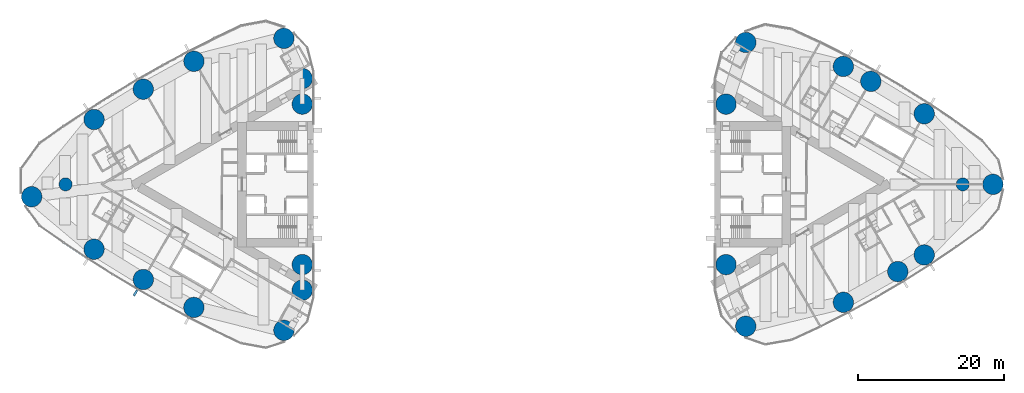
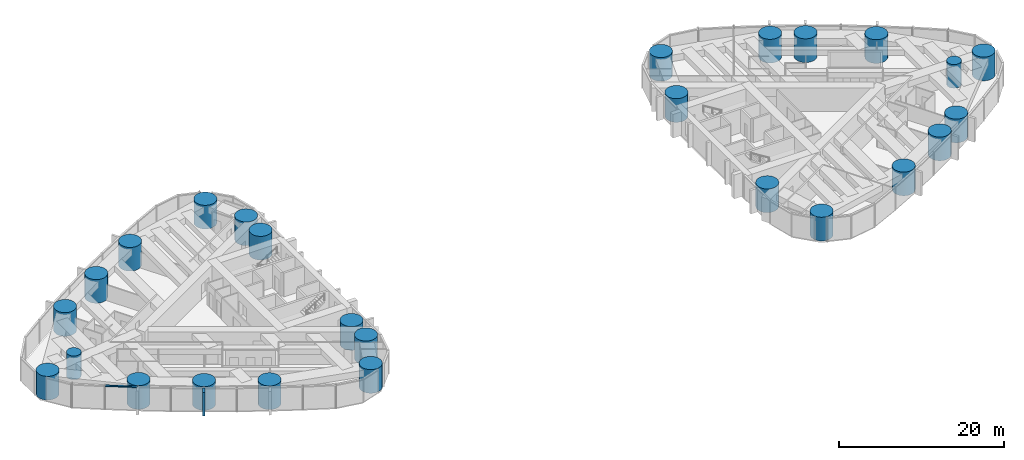
# One storey, part 1 of 19: 26 columns, 2 members, 1 element without a shape of its own.
"""IFC4 building model written with IfcOpenShell, lengths in metres."""

from ifc_helpers import new_model, si_unit, direction, frame, origin, origin_2d, place, context, subcontext, project, spatial, rectangle, circle, extrude, material, material_profile, profile_set, type_object, element, aggregate, save


model = new_model("IFC4")

# Units and contexts
model_context = context("Model", 3, precision=1e-05, world=origin(), true_north=direction((0.0, 1.0)))
body_context = subcontext(model_context, "Body", "Model", "MODEL_VIEW")
ifc_project = project(units=[si_unit("LENGTHUNIT", "METRE"), si_unit("AREAUNIT", "SQUARE_METRE"), si_unit("VOLUMEUNIT", "CUBIC_METRE"), si_unit("PLANEANGLEUNIT", "RADIAN"), si_unit("MASSUNIT", "GRAM", prefix="KILO")], contexts=[model_context])

# Site, building, storey
site_placement = place(None, origin())
site = spatial("IfcSite", under=ifc_project, at=site_placement, CompositionType="ELEMENT")
building_placement = place(site_placement, origin())
building = spatial("IfcBuilding", under=site, at=building_placement, Name="Lancet Gate Hotel", CompositionType="ELEMENT")
storey_placement = place(building_placement, frame((0.0, 0.0, 163.300048828125)))
storey = spatial("IfcBuildingStorey", under=building, at=storey_placement, Name="L43", CompositionType="ELEMENT", Elevation=163.300048828125)

# Columns
ifc_material_1 = material(Name="Concrete C60/75", Category="concrete")
ifc_material_profile_1 = material_profile(ifc_material_1, circle(Radius=0.89990234375, at=origin_2d()), Name="RC D1800")
ifc_profile_set_1 = profile_set([ifc_material_profile_1], Name="Concrete C60/75")
column_type_1 = type_object("IfcColumnType", Name="Apex column RC D1800", PredefinedType="COLUMN", material=ifc_profile_set_1)
for number, where, z_axis, x_axis, name in (
    (1, (-61.5, 0.0, 0.0), (0.0, 0.0, 1.0), (1.0, 0.0, 0.0), "T1 column AX L43"),
    (2, (61.5, 0.0, 0.0), (0.0, 0.0, 1.0), (1.0, 0.0, 0.0), "T2 column AX L43"),
):
    element("IfcColumn", number, at=place(storey_placement, frame(where, z_axis=z_axis, x_axis=x_axis)), inside=storey, type_object=column_type_1, Name=name, PredefinedType="COLUMN", context=body_context, shape_type="SweptSolid", body=[
        extrude(circle(Radius=0.89990234375, at=origin_2d()), origin(), (0.0, 0.0, 1.0), 3.5),
    ])
ifc_material_2 = material(Name="Concrete C60/75", Category="concrete")
ifc_material_profile_2 = material_profile(ifc_material_2, circle(Radius=1.39990234375, at=origin_2d()), Name="RC D2800")
ifc_profile_set_2 = profile_set([ifc_material_profile_2], Name="Concrete C60/75")
column_type_2 = type_object("IfcColumnType", Name="Perimeter column RC D2800", PredefinedType="COLUMN", material=ifc_profile_set_2)
for number, where, z_axis, x_axis, name in (
    (3, (-66.142578125, -1.6953125, 0.0), (0.0, 0.0, 1.0), (1.0, 0.0, 0.0), "T1 column CA L43"),
    (4, (-31.5654296875, -20.015869140625, 0.0), (0.0, 0.0, 1.0), (1.0, 0.0, 0.0), "T1 column CN L43"),
    (5, (-31.5654296875, 20.015869140625, 0.0), (0.0, 0.0, 1.0), (1.0, 0.0, 0.0), "T1 column CS L43"),
    (6, (-29.050048828125, -11.0, 0.0), (0.0, 0.0, 1.0), (1.0, 0.0, 0.0), "T1 column IN L43"),
    (7, (-29.050048828125, 11.0, 0.0), (0.0, 0.0, 1.0), (1.0, 0.0, 0.0), "T1 column IS L43"),
    (8, (-29.050048828125, 14.5, 0.0), (0.0, 0.0, 1.0), (1.0, 0.0, 0.0), "T1 column IT L43"),
    (9, (-29.050048828125, -14.5, 0.0), (0.0, 0.0, 1.0), (1.0, 0.0, 0.0), "T1 column JT L43"),
    (10, (-57.589599609375, -8.89306640625, 0.0), (0.0, 0.0, 1.0), (1.0, 0.0, 0.0), "T1 column ON1 L43"),
    (11, (-50.8388671875, -13.043212890625, 0.0), (0.0, 0.0, 1.0), (1.0, 0.0, 0.0), "T1 column ON2 L43"),
    (12, (-43.900390625, -16.871337890625, 0.0), (0.0, 0.0, 1.0), (1.0, 0.0, 0.0), "T1 column ON3 L43"),
    (13, (-43.900390625, 16.871337890625, 0.0), (0.0, 0.0, 1.0), (1.0, 0.0, 0.0), "T1 column OS1 L43"),
    (14, (-50.8388671875, 13.043212890625, 0.0), (0.0, 0.0, 1.0), (1.0, 0.0, 0.0), "T1 column OS2 L43"),
    (15, (-57.589599609375, 8.89306640625, 0.0), (0.0, 0.0, 1.0), (1.0, 0.0, 0.0), "T1 column OS3 L43"),
    (16, (65.6396484375, 0.0, 0.0), (0.0, 0.0, 1.0), (1.0, 0.0, 0.0), "T2 column CA L43"),
    (17, (31.759765625, 19.455810546875, 0.0), (0.0, 0.0, 1.0), (1.0, 0.0, 0.0), "T2 column CN L43"),
    (18, (31.759765625, -19.455810546875, 0.0), (0.0, 0.0, 1.0), (1.0, 0.0, 0.0), "T2 column CS L43"),
    (19, (29.050048828125, 11.0, 0.0), (0.0, 0.0, 1.0), (1.0, 0.0, 0.0), "T2 column IN L43"),
    (20, (29.050048828125, -11.0, 0.0), (0.0, 0.0, 1.0), (1.0, 0.0, 0.0), "T2 column IS L43"),
    (21, (56.220947265625, 9.67236328125, 0.0), (0.0, 0.0, 1.0), (1.0, 0.0, 0.0), "T2 column ON1 L43"),
    (22, (48.8974609375, 14.12060546875, 0.0), (0.0, 0.0, 1.0), (1.0, 0.0, 0.0), "T2 column ON2 L43"),
    (23, (45.133544921875, 16.16845703125, 0.0), (0.0, 0.0, 1.0), (1.0, 0.0, 0.0), "T2 column ON3 L43"),
    (24, (45.133544921875, -16.16845703125, 0.0), (0.0, 0.0, 1.0), (1.0, 0.0, 0.0), "T2 column OS1 L43"),
    (25, (52.594482421875, -11.95458984375, 0.0), (0.0, 0.0, 1.0), (1.0, 0.0, 0.0), "T2 column OS2 L43"),
    (26, (56.220947265625, -9.67236328125, 0.0), (0.0, 0.0, 1.0), (1.0, 0.0, 0.0), "T2 column OS3 L43"),
):
    element("IfcColumn", number, at=place(storey_placement, frame(where, z_axis=z_axis, x_axis=x_axis)), inside=storey, type_object=column_type_2, Name=name, PredefinedType="COLUMN", context=body_context, shape_type="SweptSolid", body=[
        extrude(circle(Radius=1.39990234375, at=origin_2d()), origin(), (0.0, 0.0, 1.0), 3.5),
    ])

# Curtain wall, members
ifc_material_3 = material(Name="Aluminium curtain wall", Category="aluminium")
curtain_wall_type = type_object("IfcCurtainWallType", Name="Tower unitised curtain wall", PredefinedType="USERDEFINED", material=ifc_material_3)
curtain_wall_placement = place(storey_placement, origin())
curtain_wall = element("IfcCurtainWall", 27, at=curtain_wall_placement, inside=storey, type_object=curtain_wall_type, Name="T1 L43 curtain wall 3", ObjectType="UNITISED CURTAIN WALL", PredefinedType="USERDEFINED")
ifc_material_4 = material(Name="Aluminium transom", Category="aluminium")
ifc_material_profile_3 = material_profile(ifc_material_4, rectangle(XDim=0.25, YDim=0.14990234375, at=origin_2d()), Name="TRANSOM 250x150")
ifc_profile_set_3 = profile_set([ifc_material_profile_3], Name="Aluminium transom")
member_type_1 = type_object("IfcMemberType", Name="Aluminium transom 250x150", PredefinedType="USERDEFINED", material=ifc_profile_set_3)
member_1_placement = place(storey_placement, frame((-61.735595703125, -7.998779296875, 3.425048828125), z_axis=(0.832870509189, -0.553467898729, 0.0), x_axis=(0.553467898729, 0.832870509189, 0.0)))
member_1 = element("IfcMember", 28, at=member_1_placement, type_object=member_type_1, Name="T1 L43 curtain wall 3 transom 3", ObjectType="TRANSOM", PredefinedType="USERDEFINED", context=body_context, shape_type="SweptSolid", body=[
    extrude(rectangle(XDim=0.25, YDim=0.14990234375, at=origin_2d()), origin(), (0.0, 0.0, 1.0), 3.933837890625),
])
ifc_material_5 = material(Name="Precast concrete C50/60", Category="concrete")
ifc_material_profile_4 = material_profile(ifc_material_5, rectangle(XDim=0.300048828125, YDim=0.89990234375, at=origin_2d()), Name="FIN 300x900")
ifc_profile_set_4 = profile_set([ifc_material_profile_4], Name="Precast concrete C50/60")
member_type_2 = type_object("IfcMemberType", Name="Exposed concrete fin 300x900", PredefinedType="USERDEFINED", material=ifc_profile_set_4)
member_2_placement = place(storey_placement, frame((-51.908935546875, -14.879150390625, 0.0), z_axis=(0.0, 0.0, 1.0), x_axis=(0.863968774311, -0.503545387245, 0.0)))
member_2 = element("IfcMember", 29, at=member_2_placement, type_object=member_type_2, Name="T1 L43 curtain wall 3 fin 6", ObjectType="FIN", PredefinedType="USERDEFINED", context=body_context, shape_type="SweptSolid", body=[
    extrude(rectangle(XDim=0.300048828125, YDim=0.89990234375, at=origin_2d()), origin(), (0.0, 0.0, 1.0), 3.5),
])
aggregate(curtain_wall, [member_2, member_1])

save(model, "model.ifc")
